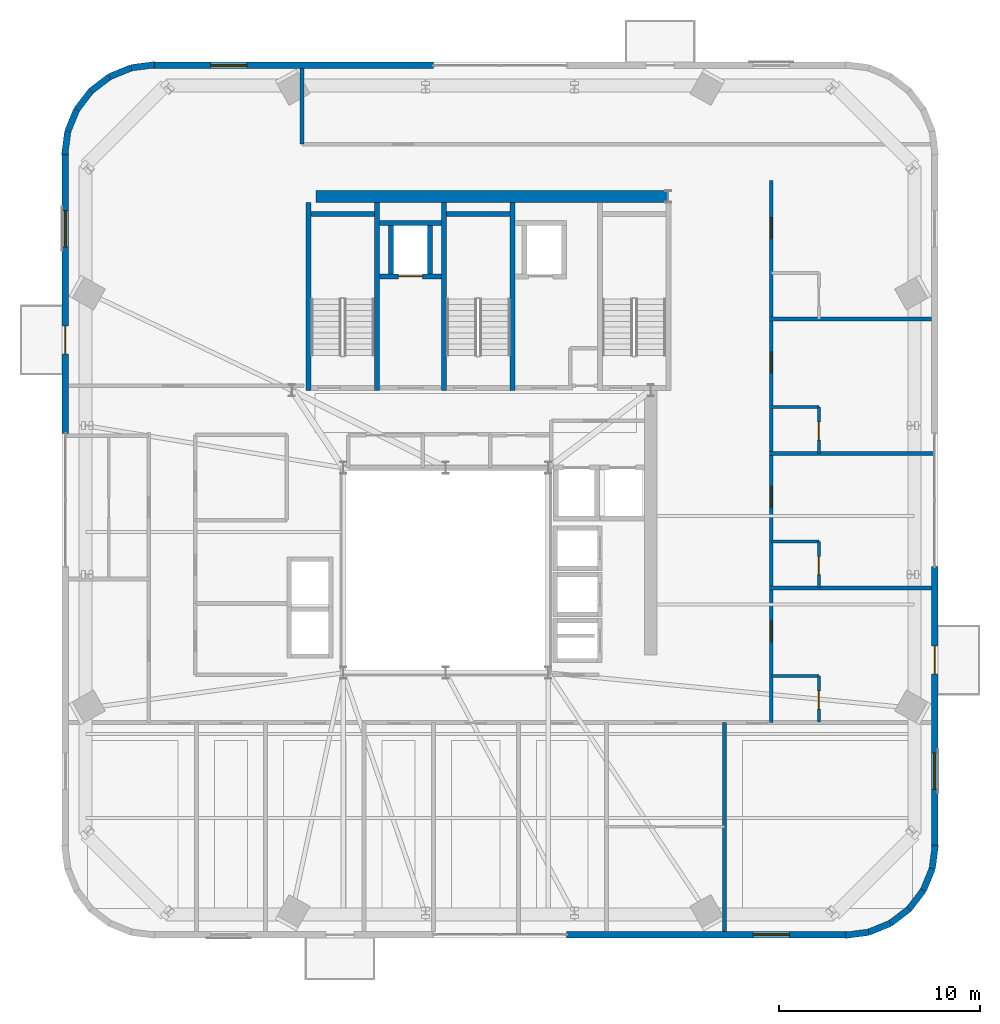
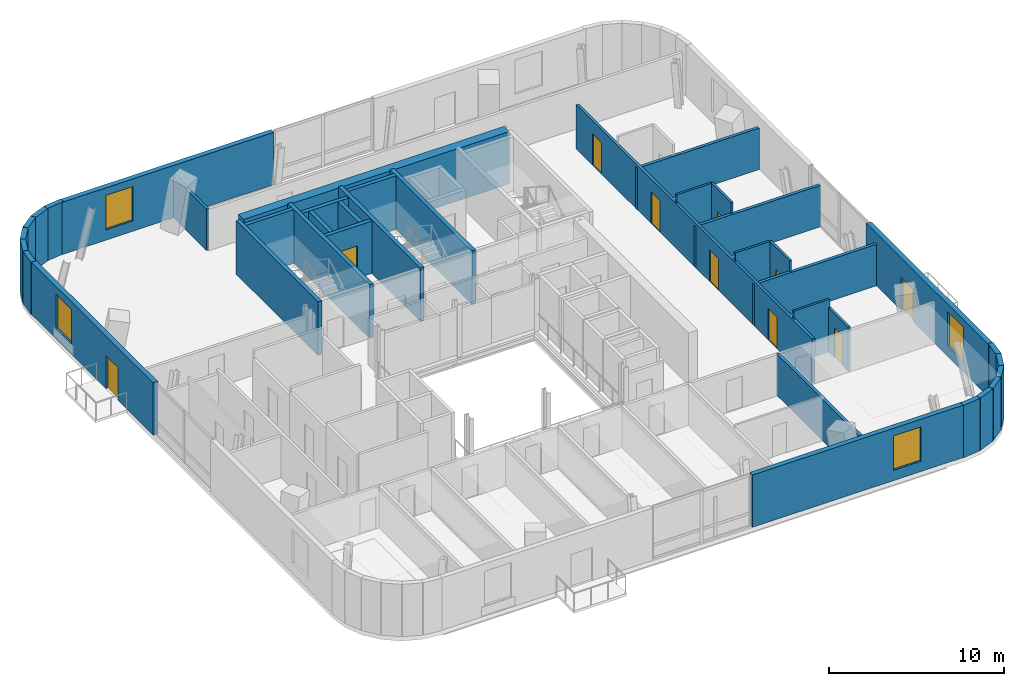
# One storey, part 9 of 14: 39 walls, 10 doors, 4 windows, 14 openings.
"""IFC4 building model written with IfcOpenShell, lengths in metres."""

import ifcopenshell
import ifcopenshell.guid

model = None  # the IFC model being written
_history = None  # IfcOwnerHistory: only IFC2X3 demands one
_inside = {}  # id of a spatial element -> (the spatial element, [elements in it])
_under = {}  # id of a project, library or spatial element -> (it, [spatial elements below it])
_declared = {}  # id of a project -> (the project, [libraries it declares])
_typed = {}  # id of a type object -> (the type object, [elements of that type])
_made_of = {}  # id of a material, layer set ... -> (it, [elements and type objects made of it])


def new_model(schema):
    """Start an empty IFC model of exactly this schema.

    Asked for "IFC4X3", IfcOpenShell would pick the latest addendum, in which some entities
    have other attributes; the version numbers below select the first issue.
    IFC2X3 requires an IfcOwnerHistory on every rooted entity: one is made here for all.
    """
    global model, _history
    if schema == "IFC4X3":
        model = ifcopenshell.file(schema_version=(4, 3, 0, 0))
    else:
        model = ifcopenshell.file(schema=schema)
    _inside.clear()
    _under.clear()
    _declared.clear()
    _typed.clear()
    _made_of.clear()
    _history = None
    if model.schema == "IFC2X3":
        org = make("IfcOrganization", Name="unknown")
        user = make(
            "IfcPersonAndOrganization",
            ThePerson=make("IfcPerson", FamilyName="unknown"),
            TheOrganization=org,
        )
        app = make(
            "IfcApplication",
            ApplicationDeveloper=org,
            Version="unknown",
            ApplicationFullName="unknown",
            ApplicationIdentifier="unknown",
        )
        _history = make(
            "IfcOwnerHistory",
            OwningUser=user,
            OwningApplication=app,
            ChangeAction="ADDED",
            CreationDate=0,
        )
    return model


def make(cls, **values):
    """One entity of the class cls with the attributes given. An attribute that is None is left unset."""
    return model.create_entity(
        cls, **{name: value for name, value in values.items() if value is not None}
    )


def rooted(cls, **values):
    """An entity with a GlobalId (a new one), such as an element, a storey or a relation."""
    return make(cls, GlobalId=ifcopenshell.guid.new(), OwnerHistory=_history, **values)


def si_unit(unit_type, name, prefix=None):
    """IfcSIUnit, for example si_unit("LENGTHUNIT", "METRE", prefix="MILLI")."""
    return make("IfcSIUnit", UnitType=unit_type, Prefix=prefix, Name=name)


def assignment(units):
    """IfcUnitAssignment: the units of a project."""
    return None if units is None else make("IfcUnitAssignment", Units=units)


def point(xyz):
    """IfcCartesianPoint."""
    return None if xyz is None else make("IfcCartesianPoint", Coordinates=xyz)


def direction(xyz):
    """IfcDirection."""
    return None if xyz is None else make("IfcDirection", DirectionRatios=xyz)


def frame(location, z_axis=None, x_axis=None):
    """IfcAxis2Placement3D, a coordinate frame: its origin and axes. An axis left out is left unset."""
    return make(
        "IfcAxis2Placement3D",
        Location=point(location),
        Axis=direction(z_axis),
        RefDirection=direction(x_axis),
    )


def frame_2d(location, x_axis=None):
    """IfcAxis2Placement2D, a coordinate frame in the plane: its origin and x axis."""
    return make(
        "IfcAxis2Placement2D", Location=point(location), RefDirection=direction(x_axis)
    )


def origin():
    """The frame at (0, 0, 0) with its axes left unset."""
    return frame((0.0, 0.0, 0.0))


def place(relative_to, where):
    """IfcLocalPlacement: puts the frame where relative to a parent placement (None: the world)."""
    return make(
        "IfcLocalPlacement", PlacementRelTo=relative_to, RelativePlacement=where
    )


def context(
    kind, dimensions, precision=None, world=None, true_north=None, identifier=None
):
    """IfcGeometricRepresentationContext, for example the 3D "Model" context."""
    return make(
        "IfcGeometricRepresentationContext",
        ContextIdentifier=identifier,
        ContextType=kind,
        CoordinateSpaceDimension=dimensions,
        Precision=precision,
        WorldCoordinateSystem=world,
        TrueNorth=true_north,
    )


def subcontext(parent, identifier, kind, view, scale=None):
    """IfcGeometricRepresentationSubContext, for example "Body" below "Model"."""
    return make(
        "IfcGeometricRepresentationSubContext",
        ContextIdentifier=identifier,
        ContextType=kind,
        ParentContext=parent,
        TargetScale=scale,
        TargetView=view,
    )


def project(units=None, contexts=None):
    """IfcProject with its units and contexts."""
    return rooted(
        "IfcProject",
        Name="project",
        RepresentationContexts=contexts,
        UnitsInContext=assignment(units),
    )


def spatial(cls, under=None, at=None, **own):
    """A site, building, storey or space (cls), placed at a placement, below another one or the project."""
    s = rooted(cls, ObjectPlacement=at, **own)
    if under is not None:
        _under.setdefault(under.id(), (under, []))[1].append(s)
    return s


def profile(cls, at=None, kind="AREA", **sizes):
    """A parametric profile (cls). Its sizes go by their IFC names, for example OverallWidth=200.0."""
    return make(cls, ProfileType=kind, Position=at, **sizes)


def rectangle(**sizes):
    """IfcRectangleProfileDef."""
    return profile("IfcRectangleProfileDef", **sizes)


def extrude(swept, where, along, depth):
    """IfcExtrudedAreaSolid: the profile swept, set in the frame where, extruded along a direction by depth."""
    return make(
        "IfcExtrudedAreaSolid",
        SweptArea=swept,
        Position=where,
        ExtrudedDirection=direction(along),
        Depth=depth,
    )


def shape(context_of_items, identifier, shape_type, items):
    """IfcShapeRepresentation: the items that make up one representation, for example the "Body"."""
    return make(
        "IfcShapeRepresentation",
        ContextOfItems=context_of_items,
        RepresentationIdentifier=identifier,
        RepresentationType=shape_type,
        Items=items,
    )


def source(mapping_origin, context_of_items, identifier, shape_type, items):
    """IfcRepresentationMap: a shape defined once, which mapped items show again and again."""
    return make(
        "IfcRepresentationMap",
        MappingOrigin=mapping_origin,
        MappedRepresentation=shape(context_of_items, identifier, shape_type, items),
    )


def transform(
    local_origin,
    x_axis=None,
    y_axis=None,
    z_axis=None,
    scale=None,
    scale2=None,
    scale3=None,
    uniform=True,
):
    """IfcCartesianTransformationOperator3D, or its non-uniform kind. x_axis, y_axis, z_axis: its Axis1, 2, 3."""
    if uniform:
        return make(
            "IfcCartesianTransformationOperator3D",
            Axis1=direction(x_axis),
            Axis2=direction(y_axis),
            LocalOrigin=point(local_origin),
            Scale=scale,
            Axis3=direction(z_axis),
        )
    return make(
        "IfcCartesianTransformationOperator3DnonUniform",
        Axis1=direction(x_axis),
        Axis2=direction(y_axis),
        LocalOrigin=point(local_origin),
        Scale=scale,
        Axis3=direction(z_axis),
        Scale2=scale2,
        Scale3=scale3,
    )


def mapped(mapping_source, mapping_target):
    """IfcMappedItem: shows the shape of a source again, moved by a transform."""
    return make(
        "IfcMappedItem", MappingSource=mapping_source, MappingTarget=mapping_target
    )


def material(Name=None, Category=None):
    """IfcMaterial."""
    return make("IfcMaterial", Name=Name, Category=Category)


def layer(
    of_material, thickness, ventilated=None, Name=None, Category=None, Priority=None
):
    """IfcMaterialLayer: one layer of a wall or slab, of a material (None: an air gap)."""
    return make(
        "IfcMaterialLayer",
        Material=of_material,
        LayerThickness=thickness,
        IsVentilated=ventilated,
        Name=Name,
        Category=Category,
        Priority=Priority,
    )


def layer_set(layers, Name=None):
    """IfcMaterialLayerSet."""
    return make("IfcMaterialLayerSet", MaterialLayers=layers, LayerSetName=Name)


def made_of(thing, what):
    """Note that an element or type object is made of a material, layer set ...; save() writes the relation."""
    if what is not None:
        _made_of.setdefault(what.id(), (what, []))[1].append(thing)
    return thing


def type_object(cls, material=None, **own):
    """A type object (cls), such as IfcWallType, which elements share."""
    return made_of(rooted(cls, **own), material)


def element(
    cls,
    number,
    at=None,
    inside=None,
    cuts=None,
    type_object=None,
    material=None,
    context=None,
    identifier="Body",
    shape_type=None,
    held_by="IfcProductDefinitionShape",
    body=None,
    shapes=None,
    **own,
):
    """One element of the class cls, such as IfcWall. Its Tag is "e" and its number.

    at: its placement. inside: the storey or other place that contains it. cuts: it is an
    opening in that element (IfcRelVoidsElement). A single representation is given by context,
    identifier, shape_type and body (its items); several are given by shapes. held_by: the class
    of the entity that holds the representations. save() writes the other relations.
    """
    e = rooted(cls, Tag="e%d" % number, ObjectPlacement=at, **own)
    if body is not None:
        shapes = [shape(context, identifier, shape_type, body)]
    if shapes is not None:
        e.Representation = make(held_by, Representations=shapes)
    if inside is not None:
        _inside.setdefault(inside.id(), (inside, []))[1].append(e)
    if cuts is not None:
        rooted(
            "IfcRelVoidsElement", RelatingBuildingElement=cuts, RelatedOpeningElement=e
        )
    if type_object is not None:
        _typed.setdefault(type_object.id(), (type_object, []))[1].append(e)
    return made_of(e, material)


def fill(opening, filler):
    """IfcRelFillsElement: the door or window that sits in an opening."""
    return rooted(
        "IfcRelFillsElement",
        RelatingOpeningElement=opening,
        RelatedBuildingElement=filler,
    )


def aggregate(whole, parts):
    """IfcRelAggregates: a whole, such as a stair, and the parts it consists of."""
    return rooted("IfcRelAggregates", RelatingObject=whole, RelatedObjects=parts)


def save(model, path):
    """Write the relations noted so far, then the file.

    IfcRelAggregates (storeys below a building ...), IfcRelContainedInSpatialStructure (elements
    in a storey), IfcRelDefinesByType, IfcRelAssociatesMaterial and IfcRelDeclares: one each for
    every whole, place, type object, material and project.
    """
    for whole, parts in _under.values():
        aggregate(whole, parts)
    for where, things in _inside.values():
        rooted(
            "IfcRelContainedInSpatialStructure",
            RelatedElements=things,
            RelatingStructure=where,
        )
    for kind, things in _typed.values():
        rooted("IfcRelDefinesByType", RelatedObjects=things, RelatingType=kind)
    for what, things in _made_of.values():
        rooted("IfcRelAssociatesMaterial", RelatedObjects=things, RelatingMaterial=what)
    for by, libraries in _declared.values():
        rooted("IfcRelDeclares", RelatingContext=by, RelatedDefinitions=libraries)
    model.write(path)


model = new_model("IFC4")

# Units and contexts
model_context = context("Model", 3, precision=1e-05, world=origin(), true_north=direction((0.0, 1.0)))
body_context = subcontext(model_context, "Body", "Model", "MODEL_VIEW")
ifc_project = project(units=[si_unit("LENGTHUNIT", "METRE"), si_unit("AREAUNIT", "SQUARE_METRE"), si_unit("VOLUMEUNIT", "CUBIC_METRE"), si_unit("PLANEANGLEUNIT", "RADIAN"), si_unit("MASSUNIT", "GRAM", prefix="KILO")], contexts=[model_context])

# Site, building, storey
site_placement = place(None, origin())
site = spatial("IfcSite", under=ifc_project, at=site_placement, CompositionType="ELEMENT")
building_placement = place(site_placement, origin())
building = spatial("IfcBuilding", under=site, at=building_placement, Name="Vardaveli Station Tower", CompositionType="ELEMENT")
storey_placement = place(building_placement, frame((0.0, 0.0, 266.39990234375)))
storey = spatial("IfcBuildingStorey", under=building, at=storey_placement, Name="L68", CompositionType="ELEMENT", Elevation=266.39990234375)

# Walls
ifc_material_1 = material(Name="Concrete C50/60", Category="concrete")
ifc_layer_1 = layer(ifc_material_1, 0.60009765625, Name="Concrete C50/60")
ifc_layer_set_1 = layer_set([ifc_layer_1], Name="Concrete C50/60")
wall_type_1 = type_object("IfcWallType", Name="WAL-CORE-600", PredefinedType="SHEAR", material=ifc_layer_set_1)
shared_shape_1 = source(origin(), body_context, "Body", "SweptSolid", [
    extrude(rectangle(XDim=17.52001953125, YDim=0.60009765625, at=frame_2d((8.760009765625, 0.0))), origin(), (0.0, 0.0, 1.0), 3.650146484375),
])
wall_1_placement = place(storey_placement, frame((29.85009765625, 40.300048828125, 0.0), z_axis=(0.0, 0.0, 1.0), x_axis=(1.0, 0.0, 0.0)))
element("IfcWall", 1, at=wall_1_placement, inside=storey, type_object=wall_type_1, Name="SW-L68-NORTH", PredefinedType="SHEAR", context=body_context, shape_type="MappedRepresentation", body=[
    mapped(shared_shape_1, transform((0.0, 0.0, 0.0), scale=1.0)),
])
ifc_material_2 = material(Name="Precast concrete C45/55", Category="concrete")
ifc_layer_2 = layer(ifc_material_2, 0.320068359375, Name="Precast concrete C45/55")
ifc_layer_set_2 = layer_set([ifc_layer_2], Name="Precast concrete C45/55")
wall_type_2 = type_object("IfcWallType", Name="WAL-EXT-STONE-320", PredefinedType="SOLIDWALL", material=ifc_layer_set_2)
shared_shape_2 = source(origin(), body_context, "Body", "SweptSolid", [
    extrude(rectangle(XDim=1.169921875, YDim=0.320068359375, at=frame_2d((0.5849609375, 0.0))), origin(), (0.0, 0.0, 1.0), 3.650146484375),
])
for number, where, z_axis, x_axis, name in (
    (2, (60.5048828125, 6.859130859375, 0.0), (0.0, 0.0, 1.0), (0.12791174929, 0.991785553632, 0.0), "EW-L68-CR2-6"),
    (3, (21.8193359375, 46.854736328125, 0.0), (0.0, 0.0, 1.0), (-0.99175563563, -0.128143510159, 0.0), "EW-L68-CR4-1"),
):
    element("IfcWall", number, at=place(storey_placement, frame(where, z_axis=z_axis, x_axis=x_axis)), inside=storey, type_object=wall_type_2, Name=name, PredefinedType="SOLIDWALL", context=body_context, shape_type="MappedRepresentation", body=[
        mapped(shared_shape_2, transform((0.0, 0.0, 0.0), scale=1.0)),
    ])
shared_shape_3 = source(origin(), body_context, "Body", "SweptSolid", [
    extrude(rectangle(XDim=1.1689453125, YDim=0.320068359375, at=frame_2d((0.58447265625, 0.0))), origin(), (0.0, 0.0, 1.0), 3.650146484375),
])
for number, where, z_axis, x_axis, name in (
    (4, (57.3408203125, 3.695068359375, 0.0), (0.0, 0.0, 1.0), (0.924595894808, 0.380949381552, 0.0), "EW-L68-CR2-2"),
    (5, (20.6591796875, 46.704833984375, 0.0), (0.0, 0.0, 1.0), (-0.924595894808, -0.380949381552, 0.0), "EW-L68-CR4-2"),
    (6, (17.9404296875, 44.62158203125, 0.0), (0.0, 0.0, 1.0), (-0.380949381552, -0.924595894808, 0.0), "EW-L68-CR4-5"),
):
    element("IfcWall", number, at=place(storey_placement, frame(where, z_axis=z_axis, x_axis=x_axis)), inside=storey, type_object=wall_type_2, Name=name, PredefinedType="SOLIDWALL", context=body_context, shape_type="MappedRepresentation", body=[
        mapped(shared_shape_3, transform((0.0, 0.0, 0.0), scale=1.0)),
    ])
shared_shape_4 = source(origin(), body_context, "Body", "SweptSolid", [
    extrude(rectangle(XDim=1.168212890625, YDim=0.320068359375, at=frame_2d((0.583984375, 0.0))), origin(), (0.0, 0.0, 1.0), 3.650146484375),
])
for number, where, z_axis, x_axis, name in (
    (7, (58.421630859375, 4.140380859375, 0.0), (0.0, 0.0, 1.0), (0.793687078033, 0.608326246486, 0.0), "EW-L68-CR2-3"),
    (8, (19.578369140625, 46.259521484375, 0.0), (0.0, 0.0, 1.0), (-0.793687078033, -0.608326246486, 0.0), "EW-L68-CR4-3"),
    (9, (18.651123046875, 45.548828125, 0.0), (0.0, 0.0, 1.0), (-0.608326246486, -0.793687078033, 0.0), "EW-L68-CR4-4"),
):
    element("IfcWall", number, at=place(storey_placement, frame(where, z_axis=z_axis, x_axis=x_axis)), inside=storey, type_object=wall_type_2, Name=name, PredefinedType="SOLIDWALL", context=body_context, shape_type="MappedRepresentation", body=[
        mapped(shared_shape_4, transform((0.0, 0.0, 0.0), scale=1.0)),
    ])
shared_shape_5 = source(origin(), body_context, "Body", "SweptSolid", [
    extrude(rectangle(XDim=1.168701171875, YDim=0.320068359375, at=frame_2d((0.58447265625, 0.0))), origin(), (0.0, 0.0, 1.0), 3.650146484375),
])
wall_2_placement = place(storey_placement, frame((60.0595703125, 5.778564453125, 0.0), z_axis=(0.0, 0.0, 1.0), x_axis=(0.381022957933, 0.924565576651, 0.0)))
element("IfcWall", 10, at=wall_2_placement, inside=storey, type_object=wall_type_2, Name="EW-L68-CR2-5", PredefinedType="SOLIDWALL", context=body_context, shape_type="MappedRepresentation", body=[
    mapped(shared_shape_5, transform((0.0, 0.0, 0.0), scale=1.0)),
])
shared_shape_6 = source(origin(), body_context, "Body", "SweptSolid", [
    extrude(rectangle(XDim=1.16845703125, YDim=0.320068359375, at=frame_2d((0.584228515625, 0.0))), origin(), (0.0, 0.0, 1.0), 3.650146484375),
])
wall_3_placement = place(storey_placement, frame((59.348876953125, 4.85107421875, 0.0), z_axis=(0.0, 0.0, 1.0), x_axis=(0.60822536085, 0.79376439226, 0.0)))
element("IfcWall", 11, at=wall_3_placement, inside=storey, type_object=wall_type_2, Name="EW-L68-CR2-4", PredefinedType="SOLIDWALL", context=body_context, shape_type="MappedRepresentation", body=[
    mapped(shared_shape_6, transform((0.0, 0.0, 0.0), scale=1.0)),
])

# Wall, opening, window
shared_shape_7 = source(origin(), body_context, "Body", "SweptSolid", [
    extrude(rectangle(XDim=13.97998046875, YDim=0.320068359375, at=frame_2d((6.989990234375, 0.0))), origin(), (0.0, 0.0, 1.0), 3.650146484375),
])
wall_4_placement = place(storey_placement, frame((42.300048828125, 3.580078125, 0.0), z_axis=(0.0, 0.0, 1.0), x_axis=(1.0, 0.0, 0.0)))
wall_4 = element("IfcWall", 12, at=wall_4_placement, inside=storey, type_object=wall_type_2, Name="EW-L68-S2", PredefinedType="SOLIDWALL", context=body_context, shape_type="MappedRepresentation", body=[
    mapped(shared_shape_7, transform((0.0, 0.0, 0.0), scale=1.0)),
])
shared_shape_8 = source(origin(), body_context, "Body", "SweptSolid", [
    extrude(rectangle(XDim=1.800048828125, YDim=2.39990234375, at=frame_2d((0.89990234375, 1.199951171875))), frame((0.0, 0.169921875, 0.0), z_axis=(0.0, -1.0, 0.0), x_axis=(1.0, 0.0, 0.0)), (0.0, 0.0, 1.0), 0.340087890625),
])
opening_1_placement = place(wall_4_placement, frame((9.299072265625, 0.0, 0.719970703125)))
opening_1 = element("IfcOpeningElement", 13, at=opening_1_placement, cuts=wall_4, Name="Opening W-05", PredefinedType="OPENING", context=body_context, shape_type="MappedRepresentation", body=[
    mapped(shared_shape_8, transform((0.0, 0.0, 0.0), scale=1.0)),
])
ifc_material_3 = material(Name="Low-E solar-control glass", Category="glass")
window_type = type_object("IfcWindowType", Name="WIN-HIGH-1800x2400", PartitioningType="SINGLE_PANEL", PredefinedType="WINDOW", material=ifc_material_3)
shared_shape_9 = source(origin(), body_context, "Body", "SweptSolid", [
    extrude(rectangle(XDim=1.800048828125, YDim=2.39990234375, at=frame_2d((0.89990234375, 1.199951171875))), frame((0.0, 0.030029296875, 0.0), z_axis=(0.0, -1.0, 0.0), x_axis=(1.0, 0.0, 0.0)), (0.0, 0.0, 1.0), 0.06005859375),
])
window_1_placement = place(opening_1_placement, origin())
window_1 = element("IfcWindow", 14, at=window_1_placement, inside=storey, type_object=window_type, Name="WN-L68-S2", OverallHeight=2.39990234375, OverallWidth=1.800048828125, PartitioningType="SINGLE_PANEL", PredefinedType="WINDOW", context=body_context, shape_type="MappedRepresentation", body=[
    mapped(shared_shape_9, transform((0.0, 0.0, 0.0), scale=1.0)),
])
fill(opening_1, window_1)

wall_5_placement = place(storey_placement, frame((35.699951171875, 46.820068359375, 0.0), z_axis=(0.0, 0.0, 1.0), x_axis=(-1.0, 0.0, 0.0)))
wall_5 = element("IfcWall", 15, at=wall_5_placement, inside=storey, type_object=wall_type_2, Name="EW-L68-N2", PredefinedType="SOLIDWALL", context=body_context, shape_type="MappedRepresentation", body=[
    mapped(shared_shape_7, transform((0.0, 0.0, 0.0), scale=1.0)),
])
opening_2_placement = place(wall_5_placement, frame((9.299072265625, 0.0, 0.719970703125)))
opening_2 = element("IfcOpeningElement", 16, at=opening_2_placement, cuts=wall_5, Name="Opening W-05", PredefinedType="OPENING", context=body_context, shape_type="MappedRepresentation", body=[
    mapped(shared_shape_8, transform((0.0, 0.0, 0.0), scale=1.0)),
])
window_2_placement = place(opening_2_placement, origin())
window_2 = element("IfcWindow", 17, at=window_2_placement, inside=storey, type_object=window_type, Name="WN-L68-N2", OverallHeight=2.39990234375, OverallWidth=1.800048828125, PartitioningType="SINGLE_PANEL", PredefinedType="WINDOW", context=body_context, shape_type="MappedRepresentation", body=[
    mapped(shared_shape_9, transform((0.0, 0.0, 0.0), scale=1.0)),
])
fill(opening_2, window_2)

# Wall, openings, door, window
wall_6_placement = place(storey_placement, frame((17.3798828125, 42.47998046875, 0.0), z_axis=(0.0, 0.0, 1.0), x_axis=(0.0, -1.0, 0.0)))
wall_6 = element("IfcWall", 18, at=wall_6_placement, inside=storey, type_object=wall_type_2, Name="EW-L68-W1", PredefinedType="SOLIDWALL", context=body_context, shape_type="MappedRepresentation", body=[
    mapped(shared_shape_7, transform((0.0, 0.0, 0.0), scale=1.0)),
])
shared_shape_10 = source(origin(), body_context, "Body", "SweptSolid", [
    extrude(rectangle(XDim=1.39990234375, YDim=2.300048828125, at=frame_2d((0.699951171875, 1.14990234375))), frame((0.0, 0.169921875, 0.0), z_axis=(0.0, -1.0, 0.0), x_axis=(1.0, 0.0, 0.0)), (0.0, 0.0, 1.0), 0.340087890625),
])
opening_3_placement = place(wall_6_placement, frame((8.612548828125, 0.0, 0.0)))
opening_3 = element("IfcOpeningElement", 19, at=opening_3_placement, cuts=wall_6, Name="Opening D-09", PredefinedType="OPENING", context=body_context, shape_type="MappedRepresentation", body=[
    mapped(shared_shape_10, transform((0.0, 0.0, 0.0), scale=1.0)),
])
opening_4_placement = place(wall_6_placement, frame((2.881103515625, 0.0, 0.719970703125)))
opening_4 = element("IfcOpeningElement", 20, at=opening_4_placement, cuts=wall_6, Name="Opening W-05", PredefinedType="OPENING", context=body_context, shape_type="MappedRepresentation", body=[
    mapped(shared_shape_8, transform((0.0, 0.0, 0.0), scale=1.0)),
])
ifc_material_4 = material(Name="Thermally broken aluminium glass", Category="aluminium")
door_type_1 = type_object("IfcDoorType", Name="DR-LOG-1400x2300", OperationType="DOUBLE_DOOR_SLIDING", PredefinedType="DOOR", material=ifc_material_4)
shared_shape_11 = source(origin(), body_context, "Body", "SweptSolid", [
    extrude(rectangle(XDim=1.39990234375, YDim=2.300048828125, at=frame_2d((0.699951171875, 1.14990234375))), frame((0.0, 0.02490234375, 0.0), z_axis=(0.0, -1.0, 0.0), x_axis=(1.0, 0.0, 0.0)), (0.0, 0.0, 1.0), 0.050048828125),
])
door_1_placement = place(opening_3_placement, frame((1.39990234375, 0.0, 0.0), z_axis=(0.0, 0.0, 1.0), x_axis=(-1.0, 0.0, 0.0)))
door_1 = element("IfcDoor", 21, at=door_1_placement, inside=storey, type_object=door_type_1, Name="DLG-L68-W", OperationType="DOUBLE_DOOR_SLIDING", OverallHeight=2.300048828125, OverallWidth=1.39990234375, PredefinedType="DOOR", context=body_context, shape_type="MappedRepresentation", body=[
    mapped(shared_shape_11, transform((0.0, 0.0, 0.0), scale=1.0)),
])
fill(opening_3, door_1)
window_3_placement = place(opening_4_placement, origin())
window_3 = element("IfcWindow", 22, at=window_3_placement, inside=storey, type_object=window_type, Name="WN-L68-W1", OverallHeight=2.39990234375, OverallWidth=1.800048828125, PartitioningType="SINGLE_PANEL", PredefinedType="WINDOW", context=body_context, shape_type="MappedRepresentation", body=[
    mapped(shared_shape_9, transform((0.0, 0.0, 0.0), scale=1.0)),
])
fill(opening_4, window_3)

wall_7_placement = place(storey_placement, frame((60.6201171875, 7.919921875, 0.0), z_axis=(0.0, 0.0, 1.0), x_axis=(0.0, 1.0, 0.0)))
wall_7 = element("IfcWall", 23, at=wall_7_placement, inside=storey, type_object=wall_type_2, Name="EW-L68-E1", PredefinedType="SOLIDWALL", context=body_context, shape_type="MappedRepresentation", body=[
    mapped(shared_shape_7, transform((0.0, 0.0, 0.0), scale=1.0)),
])
opening_5_placement = place(wall_7_placement, frame((8.612548828125, 0.0, 0.0)))
opening_5 = element("IfcOpeningElement", 24, at=opening_5_placement, cuts=wall_7, Name="Opening D-09", PredefinedType="OPENING", context=body_context, shape_type="MappedRepresentation", body=[
    mapped(shared_shape_10, transform((0.0, 0.0, 0.0), scale=1.0)),
])
opening_6_placement = place(wall_7_placement, frame((2.881103515625, 0.0, 0.719970703125)))
opening_6 = element("IfcOpeningElement", 25, at=opening_6_placement, cuts=wall_7, Name="Opening W-05", PredefinedType="OPENING", context=body_context, shape_type="MappedRepresentation", body=[
    mapped(shared_shape_8, transform((0.0, 0.0, 0.0), scale=1.0)),
])
door_2_placement = place(opening_5_placement, frame((1.39990234375, 0.0, 0.0), z_axis=(0.0, 0.0, 1.0), x_axis=(-1.0, 0.0, 0.0)))
door_2 = element("IfcDoor", 26, at=door_2_placement, inside=storey, type_object=door_type_1, Name="DLG-L68-E", OperationType="DOUBLE_DOOR_SLIDING", OverallHeight=2.300048828125, OverallWidth=1.39990234375, PredefinedType="DOOR", context=body_context, shape_type="MappedRepresentation", body=[
    mapped(shared_shape_11, transform((0.0, 0.0, 0.0), scale=1.0)),
])
fill(opening_5, door_2)
window_4_placement = place(opening_6_placement, origin())
window_4 = element("IfcWindow", 27, at=window_4_placement, inside=storey, type_object=window_type, Name="WN-L68-E1", OverallHeight=2.39990234375, OverallWidth=1.800048828125, PartitioningType="SINGLE_PANEL", PredefinedType="WINDOW", context=body_context, shape_type="MappedRepresentation", body=[
    mapped(shared_shape_9, transform((0.0, 0.0, 0.0), scale=1.0)),
])
fill(opening_6, window_4)

# Walls
shared_shape_12 = source(origin(), body_context, "Body", "SweptSolid", [
    extrude(rectangle(XDim=1.169677734375, YDim=0.320068359375, at=frame_2d((0.5849609375, 0.0))), origin(), (0.0, 0.0, 1.0), 3.650146484375),
])
for number, where, z_axis, x_axis, name in (
    (28, (56.1806640625, 3.54541015625, 0.0), (0.0, 0.0, 1.0), (0.991782138515, 0.127938226201, 0.0), "EW-L68-CR2-1"),
    (29, (17.4951171875, 43.540771484375, 0.0), (0.0, 0.0, 1.0), (-0.127938226201, -0.991782138515, 0.0), "EW-L68-CR4-6"),
):
    element("IfcWall", number, at=place(storey_placement, frame(where, z_axis=z_axis, x_axis=x_axis)), inside=storey, type_object=wall_type_2, Name=name, PredefinedType="SOLIDWALL", context=body_context, shape_type="MappedRepresentation", body=[
        mapped(shared_shape_12, transform((0.0, 0.0, 0.0), scale=1.0)),
    ])
ifc_material_5 = material(Name="Concrete C40/50", Category="concrete")
ifc_layer_3 = layer(ifc_material_5, 0.25, Name="Concrete C40/50")
ifc_layer_set_3 = layer_set([ifc_layer_3], Name="Concrete C40/50")
wall_type_3 = type_object("IfcWallType", Name="WAL-SHAFT-250", PredefinedType="SOLIDWALL", material=ifc_layer_set_3)
shared_shape_13 = source(origin(), body_context, "Body", "SweptSolid", [
    extrude(rectangle(XDim=9.35009765625, YDim=0.25, at=frame_2d((4.675048828125, 0.0))), origin(), (0.0, 0.0, 1.0), 3.75),
])
for number, where, z_axis, x_axis, name in (
    (30, (29.47509765625, 30.64990234375, 0.0), (0.0, 0.0, 1.0), (0.0, 1.0, 0.0), "W-L68-ST-1W"),
    (31, (32.875, 30.64990234375, 0.0), (0.0, 0.0, 1.0), (0.0, 1.0, 0.0), "W-L68-ST-1E"),
    (32, (36.22509765625, 30.64990234375, 0.0), (0.0, 0.0, 1.0), (0.0, 1.0, 0.0), "W-L68-ST-2W"),
    (33, (39.625, 30.64990234375, 0.0), (0.0, 0.0, 1.0), (0.0, 1.0, 0.0), "W-L68-ST-2E"),
):
    element("IfcWall", number, at=place(storey_placement, frame(where, z_axis=z_axis, x_axis=x_axis)), inside=storey, type_object=wall_type_3, Name=name, PredefinedType="SOLIDWALL", context=body_context, shape_type="MappedRepresentation", body=[
        mapped(shared_shape_13, transform((0.0, 0.0, 0.0), scale=1.0)),
    ])
shared_shape_14 = source(origin(), body_context, "Body", "SweptSolid", [
    extrude(rectangle(XDim=3.14990234375, YDim=0.25, at=frame_2d((1.574951171875, 0.0))), origin(), (0.0, 0.0, 1.0), 3.75),
])
for number, where, z_axis, x_axis, name in (
    (34, (29.60009765625, 39.425048828125, 0.0), (0.0, 0.0, 1.0), (1.0, 0.0, 0.0), "W-L68-ST-1N"),
    (35, (36.35009765625, 39.425048828125, 0.0), (0.0, 0.0, 1.0), (1.0, 0.0, 0.0), "W-L68-ST-2N"),
):
    element("IfcWall", number, at=place(storey_placement, frame(where, z_axis=z_axis, x_axis=x_axis)), inside=storey, type_object=wall_type_3, Name=name, PredefinedType="SOLIDWALL", context=body_context, shape_type="MappedRepresentation", body=[
        mapped(shared_shape_14, transform((0.0, 0.0, 0.0), scale=1.0)),
    ])

# Wall, opening, door
shared_shape_15 = source(origin(), body_context, "Body", "SweptSolid", [
    extrude(rectangle(XDim=3.10009765625, YDim=0.25, at=frame_2d((1.550048828125, 0.0))), origin(), (0.0, 0.0, 1.0), 3.650146484375),
])
wall_8_placement = place(storey_placement, frame((33.0, 36.324951171875, 0.0), z_axis=(0.0, 0.0, 1.0), x_axis=(1.0, 0.0, 0.0)))
wall_8 = element("IfcWall", 36, at=wall_8_placement, inside=storey, type_object=wall_type_3, Name="SHW-FFL-01-L68-S", PredefinedType="SOLIDWALL", context=body_context, shape_type="MappedRepresentation", body=[
    mapped(shared_shape_15, transform((0.0, 0.0, 0.0), scale=1.0)),
])
shared_shape_16 = source(origin(), body_context, "Body", "SweptSolid", [
    extrude(rectangle(XDim=1.199951171875, YDim=2.25, at=frame_2d((0.60009765625, 1.125))), frame((0.0, 0.135009765625, 0.0), z_axis=(0.0, -1.0, 0.0), x_axis=(1.0, 0.0, 0.0)), (0.0, 0.0, 1.0), 0.27001953125),
])
opening_7_placement = place(wall_8_placement, frame((0.949951171875, 0.0, 0.0)))
opening_7 = element("IfcOpeningElement", 37, at=opening_7_placement, cuts=wall_8, Name="Opening LD-02", PredefinedType="OPENING", context=body_context, shape_type="MappedRepresentation", body=[
    mapped(shared_shape_16, transform((0.0, 0.0, 0.0), scale=1.0)),
])
ifc_material_6 = material(Name="Brushed stainless steel", Category="steel")
door_type_2 = type_object("IfcDoorType", Name="DR-LD-1200x2250", OperationType="DOUBLE_DOOR_SLIDING", PredefinedType="DOOR", material=ifc_material_6)
shared_shape_17 = source(origin(), body_context, "Body", "SweptSolid", [
    extrude(rectangle(XDim=1.199951171875, YDim=2.25, at=frame_2d((0.60009765625, 1.125))), frame((0.0, 0.02490234375, 0.0), z_axis=(0.0, -1.0, 0.0), x_axis=(1.0, 0.0, 0.0)), (0.0, 0.0, 1.0), 0.050048828125),
])
door_3_placement = place(opening_7_placement, origin())
door_3 = element("IfcDoor", 38, at=door_3_placement, inside=storey, type_object=door_type_2, Name="LD-FFL-01-L68", OperationType="DOUBLE_DOOR_SLIDING", OverallHeight=2.25, OverallWidth=1.199951171875, PredefinedType="DOOR", context=body_context, shape_type="MappedRepresentation", body=[
    mapped(shared_shape_17, transform((0.0, 0.0, 0.0), scale=1.0)),
])
fill(opening_7, door_3)

# Walls
wall_9_placement = place(storey_placement, frame((33.0, 38.97509765625, 0.0), z_axis=(0.0, 0.0, 1.0), x_axis=(1.0, 0.0, 0.0)))
element("IfcWall", 39, at=wall_9_placement, inside=storey, type_object=wall_type_3, Name="SHW-FFL-01-L68-N", PredefinedType="SOLIDWALL", context=body_context, shape_type="MappedRepresentation", body=[
    mapped(shared_shape_15, transform((0.0, 0.0, 0.0), scale=1.0)),
])
shared_shape_18 = source(origin(), body_context, "Body", "SweptSolid", [
    extrude(rectangle(XDim=2.400146484375, YDim=0.25, at=frame_2d((1.2001953125, 0.0))), origin(), (0.0, 0.0, 1.0), 3.650146484375),
])
for number, where, z_axis, x_axis, name in (
    (40, (33.574951171875, 36.449951171875, 0.0), (0.0, 0.0, 1.0), (0.0, 1.0, 0.0), "SHW-FFL-01-L68-W"),
    (41, (35.52490234375, 36.449951171875, 0.0), (0.0, 0.0, 1.0), (0.0, 1.0, 0.0), "SHW-FFL-01-L68-E"),
):
    element("IfcWall", number, at=place(storey_placement, frame(where, z_axis=z_axis, x_axis=x_axis)), inside=storey, type_object=wall_type_3, Name=name, PredefinedType="SOLIDWALL", context=body_context, shape_type="MappedRepresentation", body=[
        mapped(shared_shape_18, transform((0.0, 0.0, 0.0), scale=1.0)),
    ])

# Wall, opening, door
ifc_material_7 = material(Name="Moisture-resistant stud partition")
ifc_layer_4 = layer(ifc_material_7, 0.14990234375, Name="Moisture-resistant stud partition")
ifc_layer_set_4 = layer_set([ifc_layer_4], Name="Moisture-resistant stud partition")
wall_type_4 = type_object("IfcWallType", Name="WAL-WET-150", PredefinedType="PARTITIONING", material=ifc_layer_set_4)
shared_shape_19 = source(origin(), body_context, "Body", "SweptSolid", [
    extrude(rectangle(XDim=2.2900390625, YDim=0.14990234375, at=frame_2d((1.14501953125, 0.0))), origin(), (0.0, 0.0, 1.0), 3.092041015625),
])
wall_10_placement = place(storey_placement, frame((54.860107421875, 14.14990234375, 0.0), z_axis=(0.0, 0.0, 1.0), x_axis=(0.0, 1.0, 0.0)))
wall_10 = element("IfcWall", 42, at=wall_10_placement, inside=storey, type_object=wall_type_4, Name="W-L68-BE1-E", PredefinedType="PARTITIONING", context=body_context, shape_type="MappedRepresentation", body=[
    mapped(shared_shape_19, transform((0.0, 0.0, 0.0), scale=1.0)),
])
shared_shape_20 = source(origin(), body_context, "Body", "SweptSolid", [
    extrude(rectangle(XDim=0.89990234375, YDim=2.10009765625, at=frame_2d((0.449951171875, 1.050048828125))), frame((0.0, 0.0849609375, 0.0), z_axis=(0.0, -1.0, 0.0), x_axis=(1.0, 0.0, 0.0)), (0.0, 0.0, 1.0), 0.169921875),
])
opening_8_placement = place(wall_10_placement, frame((0.64990234375, 0.0, 0.0)))
opening_8 = element("IfcOpeningElement", 43, at=opening_8_placement, cuts=wall_10, Name="Opening D-08", PredefinedType="OPENING", context=body_context, shape_type="MappedRepresentation", body=[
    mapped(shared_shape_20, transform((0.0, 0.0, 0.0), scale=1.0)),
])
ifc_material_8 = material(Name="Moisture-resistant oak door")
door_type_3 = type_object("IfcDoorType", Name="DR-BATH-900x2100", OperationType="NOTDEFINED", PredefinedType="DOOR", material=ifc_material_8)
shared_shape_21 = source(origin(), body_context, "Body", "SweptSolid", [
    extrude(rectangle(XDim=0.89990234375, YDim=2.10009765625, at=frame_2d((0.449951171875, 1.050048828125))), frame((0.0, 0.02490234375, 0.0), z_axis=(0.0, -1.0, 0.0), x_axis=(1.0, 0.0, 0.0)), (0.0, 0.0, 1.0), 0.050048828125),
])
door_4_placement = place(opening_8_placement, origin())
door_4 = element("IfcDoor", 44, at=door_4_placement, inside=storey, type_object=door_type_3, Name="D-L68-BE1", OperationType="SINGLE_SWING_RIGHT", OverallHeight=2.10009765625, OverallWidth=0.89990234375, PredefinedType="DOOR", context=body_context, shape_type="MappedRepresentation", body=[
    mapped(shared_shape_21, transform((0.0, 0.0, 0.0), scale=1.0)),
])
fill(opening_8, door_4)

shared_shape_22 = source(origin(), body_context, "Body", "SweptSolid", [
    extrude(rectangle(XDim=2.2900390625, YDim=0.14990234375, at=frame_2d((1.14501953125, 0.0))), origin(), (0.0, 0.0, 1.0), 3.650146484375),
])
wall_11_placement = place(storey_placement, frame((54.860107421875, 20.8369140625, 0.0), z_axis=(0.0, 0.0, 1.0), x_axis=(0.0, 1.0, 0.0)))
wall_11 = element("IfcWall", 45, at=wall_11_placement, inside=storey, type_object=wall_type_4, Name="W-L68-BE2-E", PredefinedType="PARTITIONING", context=body_context, shape_type="MappedRepresentation", body=[
    mapped(shared_shape_22, transform((0.0, 0.0, 0.0), scale=1.0)),
])
opening_9_placement = place(wall_11_placement, frame((0.64990234375, 0.0, 0.0)))
opening_9 = element("IfcOpeningElement", 46, at=opening_9_placement, cuts=wall_11, Name="Opening D-08", PredefinedType="OPENING", context=body_context, shape_type="MappedRepresentation", body=[
    mapped(shared_shape_20, transform((0.0, 0.0, 0.0), scale=1.0)),
])
door_5_placement = place(opening_9_placement, origin())
door_5 = element("IfcDoor", 47, at=door_5_placement, inside=storey, type_object=door_type_3, Name="D-L68-BE2", OperationType="SINGLE_SWING_LEFT", OverallHeight=2.10009765625, OverallWidth=0.89990234375, PredefinedType="DOOR", context=body_context, shape_type="MappedRepresentation", body=[
    mapped(shared_shape_21, transform((0.0, 0.0, 0.0), scale=1.0)),
])
fill(opening_9, door_5)

wall_12_placement = place(storey_placement, frame((54.860107421875, 27.52490234375, 0.0), z_axis=(0.0, 0.0, 1.0), x_axis=(0.0, 1.0, 0.0)))
wall_12 = element("IfcWall", 48, at=wall_12_placement, inside=storey, type_object=wall_type_4, Name="W-L68-BE3-E", PredefinedType="PARTITIONING", context=body_context, shape_type="MappedRepresentation", body=[
    mapped(shared_shape_22, transform((0.0, 0.0, 0.0), scale=1.0)),
])
opening_10_placement = place(wall_12_placement, frame((0.64990234375, 0.0, 0.0)))
opening_10 = element("IfcOpeningElement", 49, at=opening_10_placement, cuts=wall_12, Name="Opening D-08", PredefinedType="OPENING", context=body_context, shape_type="MappedRepresentation", body=[
    mapped(shared_shape_20, transform((0.0, 0.0, 0.0), scale=1.0)),
])
door_6_placement = place(opening_10_placement, origin())
door_6 = element("IfcDoor", 50, at=door_6_placement, inside=storey, type_object=door_type_3, Name="D-L68-BE3", OperationType="SINGLE_SWING_RIGHT", OverallHeight=2.10009765625, OverallWidth=0.89990234375, PredefinedType="DOOR", context=body_context, shape_type="MappedRepresentation", body=[
    mapped(shared_shape_21, transform((0.0, 0.0, 0.0), scale=1.0)),
])
fill(opening_10, door_6)

# Walls
shared_shape_23 = source(origin(), body_context, "Body", "SweptSolid", [
    extrude(rectangle(XDim=2.360107421875, YDim=0.14990234375, at=frame_2d((1.18017578125, 0.0))), origin(), (0.0, 0.0, 1.0), 3.650146484375),
])
for number, where, z_axis, x_axis, name in (
    (51, (52.5, 16.43994140625, 0.0), (0.0, 0.0, 1.0), (1.0, 0.0, 0.0), "W-L68-BE1-N"),
    (52, (52.5, 23.126953125, 0.0), (0.0, 0.0, 1.0), (1.0, 0.0, 0.0), "W-L68-BE2-N"),
    (53, (52.5, 29.81494140625, 0.0), (0.0, 0.0, 1.0), (1.0, 0.0, 0.0), "W-L68-BE3-N"),
):
    element("IfcWall", number, at=place(storey_placement, frame(where, z_axis=z_axis, x_axis=x_axis)), inside=storey, type_object=wall_type_4, Name=name, PredefinedType="PARTITIONING", context=body_context, shape_type="MappedRepresentation", body=[
        mapped(shared_shape_23, transform((0.0, 0.0, 0.0), scale=1.0)),
    ])

# Wall, openings, doors
ifc_material_9 = material(Name="Fire-rated gypsum stud partition")
ifc_layer_5 = layer(ifc_material_9, 0.179931640625, Name="Fire-rated gypsum stud partition")
ifc_layer_set_5 = layer_set([ifc_layer_5], Name="Fire-rated gypsum stud partition")
wall_type_5 = type_object("IfcWallType", Name="WAL-CORR-180", PredefinedType="PARTITIONING", material=ifc_layer_set_5)
shared_shape_24 = source(origin(), body_context, "Body", "SweptSolid", [
    extrude(rectangle(XDim=26.97021484375, YDim=0.179931640625, at=frame_2d((13.485107421875, 0.0))), origin(), (0.0, 0.0, 1.0), 3.092041015625),
])
wall_13_placement = place(storey_placement, frame((52.5, 14.1298828125, 0.0), z_axis=(0.0, 0.0, 1.0), x_axis=(0.0, 1.0, 0.0)))
wall_13 = element("IfcWall", 54, at=wall_13_placement, inside=storey, type_object=wall_type_5, Name="W-L68-CE", PredefinedType="PARTITIONING", context=body_context, shape_type="MappedRepresentation", body=[
    mapped(shared_shape_24, transform((0.0, 0.0, 0.0), scale=1.0)),
])
shared_shape_25 = source(origin(), body_context, "Body", "SweptSolid", [
    extrude(rectangle(XDim=1.050048828125, YDim=2.199951171875, at=frame_2d((0.52490234375, 1.10009765625))), frame((0.0, 0.10009765625, 0.0), z_axis=(0.0, -1.0, 0.0), x_axis=(1.0, 0.0, 0.0)), (0.0, 0.0, 1.0), 0.199951171875),
])
opening_11_placement = place(wall_13_placement, frame((4.0087890625, 0.0, 0.0)))
opening_11 = element("IfcOpeningElement", 55, at=opening_11_placement, cuts=wall_13, Name="Opening D-05", PredefinedType="OPENING", context=body_context, shape_type="MappedRepresentation", body=[
    mapped(shared_shape_25, transform((0.0, 0.0, 0.0), scale=1.0)),
])
opening_12_placement = place(wall_13_placement, frame((10.6962890625, 0.0, 0.0)))
opening_12 = element("IfcOpeningElement", 56, at=opening_12_placement, cuts=wall_13, Name="Opening D-05", PredefinedType="OPENING", context=body_context, shape_type="MappedRepresentation", body=[
    mapped(shared_shape_25, transform((0.0, 0.0, 0.0), scale=1.0)),
])
opening_13_placement = place(wall_13_placement, frame((17.3837890625, 0.0, 0.0)))
opening_13 = element("IfcOpeningElement", 57, at=opening_13_placement, cuts=wall_13, Name="Opening D-05", PredefinedType="OPENING", context=body_context, shape_type="MappedRepresentation", body=[
    mapped(shared_shape_25, transform((0.0, 0.0, 0.0), scale=1.0)),
])
opening_14_placement = place(wall_13_placement, frame((24.0712890625, 0.0, 0.0)))
opening_14 = element("IfcOpeningElement", 58, at=opening_14_placement, cuts=wall_13, Name="Opening D-05", PredefinedType="OPENING", context=body_context, shape_type="MappedRepresentation", body=[
    mapped(shared_shape_25, transform((0.0, 0.0, 0.0), scale=1.0)),
])
ifc_material_10 = material(Name="Walnut veneer acoustic fire door")
door_type_4 = type_object("IfcDoorType", Name="DR-SUITE-1050x2200", OperationType="NOTDEFINED", PredefinedType="DOOR", material=ifc_material_10)
shared_shape_26 = source(origin(), body_context, "Body", "SweptSolid", [
    extrude(rectangle(XDim=1.050048828125, YDim=2.199951171875, at=frame_2d((0.52490234375, 1.10009765625))), frame((0.0, 0.02490234375, 0.0), z_axis=(0.0, -1.0, 0.0), x_axis=(1.0, 0.0, 0.0)), (0.0, 0.0, 1.0), 0.050048828125),
])
door_7_placement = place(opening_11_placement, origin())
door_7 = element("IfcDoor", 59, at=door_7_placement, inside=storey, type_object=door_type_4, Name="D-L68-GE1", OperationType="SINGLE_SWING_RIGHT", OverallHeight=2.199951171875, OverallWidth=1.050048828125, PredefinedType="DOOR", context=body_context, shape_type="MappedRepresentation", body=[
    mapped(shared_shape_26, transform((0.0, 0.0, 0.0), scale=1.0)),
])
fill(opening_11, door_7)
door_8_placement = place(opening_12_placement, origin())
door_8 = element("IfcDoor", 60, at=door_8_placement, inside=storey, type_object=door_type_4, Name="D-L68-GE2", OperationType="SINGLE_SWING_LEFT", OverallHeight=2.199951171875, OverallWidth=1.050048828125, PredefinedType="DOOR", context=body_context, shape_type="MappedRepresentation", body=[
    mapped(shared_shape_26, transform((0.0, 0.0, 0.0), scale=1.0)),
])
fill(opening_12, door_8)
door_9_placement = place(opening_13_placement, origin())
door_9 = element("IfcDoor", 61, at=door_9_placement, inside=storey, type_object=door_type_4, Name="D-L68-GE3", OperationType="SINGLE_SWING_RIGHT", OverallHeight=2.199951171875, OverallWidth=1.050048828125, PredefinedType="DOOR", context=body_context, shape_type="MappedRepresentation", body=[
    mapped(shared_shape_26, transform((0.0, 0.0, 0.0), scale=1.0)),
])
fill(opening_13, door_9)
door_10_placement = place(opening_14_placement, origin())
door_10 = element("IfcDoor", 62, at=door_10_placement, inside=storey, type_object=door_type_4, Name="D-L68-GE4", OperationType="SINGLE_SWING_LEFT", OverallHeight=2.199951171875, OverallWidth=1.050048828125, PredefinedType="DOOR", context=body_context, shape_type="MappedRepresentation", body=[
    mapped(shared_shape_26, transform((0.0, 0.0, 0.0), scale=1.0)),
])
fill(opening_14, door_10)

# Walls
ifc_material_11 = material(Name="Acoustic twin-stud gypsum partition")
ifc_layer_6 = layer(ifc_material_11, 0.199951171875, Name="Acoustic twin-stud gypsum partition")
ifc_layer_set_6 = layer_set([ifc_layer_6], Name="Acoustic twin-stud gypsum partition")
wall_type_6 = type_object("IfcWallType", Name="WAL-PARTY-200", PredefinedType="PARTITIONING", material=ifc_layer_set_6)
shared_shape_27 = source(origin(), body_context, "Body", "SweptSolid", [
    extrude(rectangle(XDim=10.387939453125, YDim=0.199951171875, at=frame_2d((5.19384765625, 0.0))), origin(), (0.0, 0.0, 1.0), 2.89208984375),
])
wall_14_placement = place(storey_placement, frame((50.169921875, 3.741943359375, 0.0), z_axis=(0.0, 0.0, 1.0), x_axis=(0.0, 1.0, 0.0)))
element("IfcWall", 63, at=wall_14_placement, inside=storey, type_object=wall_type_6, Name="W-L68-PS7", PredefinedType="PARTITIONING", context=body_context, shape_type="MappedRepresentation", body=[
    mapped(shared_shape_27, transform((0.0, 0.0, 0.0), scale=1.0)),
])
shared_shape_28 = source(origin(), body_context, "Body", "SweptSolid", [
    extrude(rectangle(XDim=8.05810546875, YDim=0.199951171875, at=frame_2d((4.029052734375, 0.0))), origin(), (0.0, 0.0, 1.0), 2.89208984375),
])
for number, where, z_axis, x_axis, name in (
    (64, (52.39990234375, 20.81689453125, 0.0), (0.0, 0.0, 1.0), (1.0, 0.0, 0.0), "W-L68-PE1"),
    (65, (52.39990234375, 34.193115234375, 0.0), (0.0, 0.0, 1.0), (1.0, 0.0, 0.0), "W-L68-PE3"),
):
    element("IfcWall", number, at=place(storey_placement, frame(where, z_axis=z_axis, x_axis=x_axis)), inside=storey, type_object=wall_type_6, Name=name, PredefinedType="PARTITIONING", context=body_context, shape_type="MappedRepresentation", body=[
        mapped(shared_shape_28, transform((0.0, 0.0, 0.0), scale=1.0)),
    ])
shared_shape_29 = source(origin(), body_context, "Body", "SweptSolid", [
    extrude(rectangle(XDim=8.25, YDim=0.199951171875, at=frame_2d((4.125, 0.0))), origin(), (0.0, 0.0, 1.0), 2.89208984375),
])
wall_15_placement = place(storey_placement, frame((52.39990234375, 27.5048828125, 0.0), z_axis=(0.0, 0.0, 1.0), x_axis=(1.0, 0.0, 0.0)))
element("IfcWall", 66, at=wall_15_placement, inside=storey, type_object=wall_type_6, Name="W-L68-PE2", PredefinedType="PARTITIONING", context=body_context, shape_type="MappedRepresentation", body=[
    mapped(shared_shape_29, transform((0.0, 0.0, 0.0), scale=1.0)),
])
shared_shape_30 = source(origin(), body_context, "Body", "SweptSolid", [
    extrude(rectangle(XDim=3.758056640625, YDim=0.179931640625, at=frame_2d((1.87890625, 0.0))), origin(), (0.0, 0.0, 1.0), 2.89208984375),
])
wall_16_placement = place(storey_placement, frame((29.14990234375, 42.89990234375, 0.0), z_axis=(0.0, 0.0, 1.0), x_axis=(0.0, 1.0, 0.0)))
element("IfcWall", 67, at=wall_16_placement, inside=storey, type_object=wall_type_5, Name="W-L68-NPW", PredefinedType="PARTITIONING", context=body_context, shape_type="MappedRepresentation", body=[
    mapped(shared_shape_30, transform((0.0, 0.0, 0.0), scale=1.0)),
])

save(model, "model.ifc")
